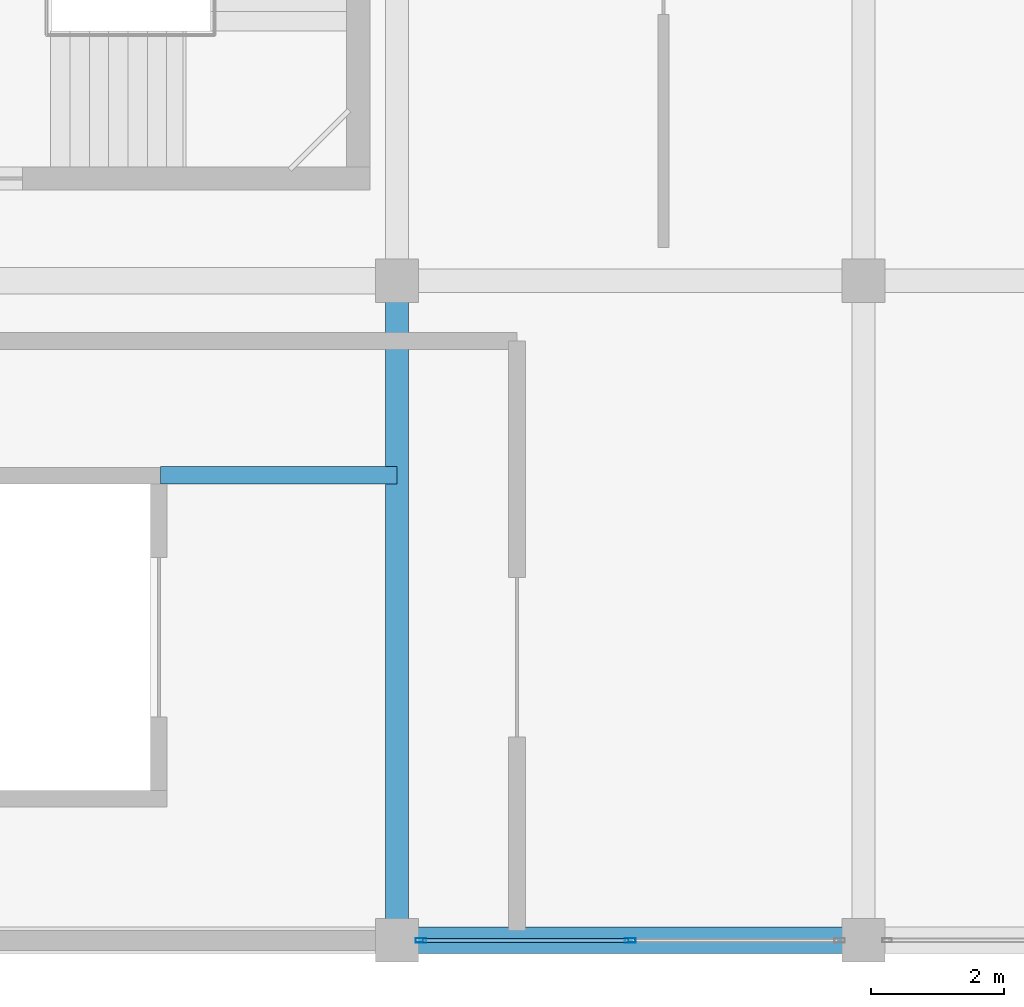
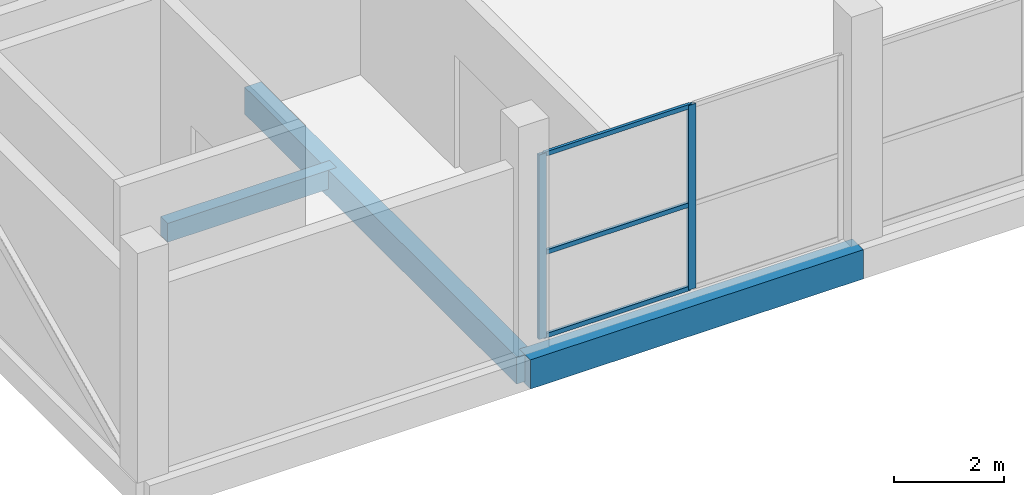
# One storey, part 2 of 58: 5 members, 3 beams, 1 element without a shape of its own.
"""IFC4 building model written with IfcOpenShell, lengths in metres."""

from ifc_helpers import new_model, si_unit, direction, frame, origin, origin_2d, place, context, subcontext, project, spatial, rectangle, hollow_rectangle, extrude, material, layer, layer_set, material_profile, profile_set, type_object, element, aggregate, save


model = new_model("IFC4")

# Units and contexts
model_context = context("Model", 3, precision=1e-05, world=origin(), true_north=direction((0.0, 1.0)))
body_context = subcontext(model_context, "Body", "Model", "MODEL_VIEW")
ifc_project = project(units=[si_unit("LENGTHUNIT", "METRE"), si_unit("AREAUNIT", "SQUARE_METRE"), si_unit("VOLUMEUNIT", "CUBIC_METRE"), si_unit("PLANEANGLEUNIT", "RADIAN"), si_unit("MASSUNIT", "GRAM", prefix="KILO")], contexts=[model_context])

# Site, building, storey
site_placement = place(None, origin())
site = spatial("IfcSite", under=ifc_project, at=site_placement, CompositionType="ELEMENT")
building_placement = place(site_placement, origin())
building = spatial("IfcBuilding", under=site, at=building_placement, Name="Sillaruma Civic Art Gallery", CompositionType="ELEMENT")
storey_placement = place(building_placement, frame((0.0, 0.0, 52.02001953125)))
storey = spatial("IfcBuildingStorey", under=building, at=storey_placement, Name="L10", CompositionType="ELEMENT", Elevation=52.02001953125)

# Beams
ifc_material_1 = material(Name="Concrete H35 (35 MPa)", Category="concrete")
ifc_material_profile_1 = material_profile(ifc_material_1, rectangle(XDim=0.35009765625, YDim=0.60009765625, at=origin_2d()), Name="RCB350x600")
ifc_profile_set_1 = profile_set([ifc_material_profile_1], Name="Concrete H35 (35 MPa)")
beam_type_1 = type_object("IfcBeamType", Name="BM-BEAM-RCB350x600", PredefinedType="BEAM", material=ifc_profile_set_1)
beam_1_placement = place(storey_placement, frame((70.0, 19.800048828125, -0.550048828125), z_axis=(0.0, 1.0, 0.0), x_axis=(-1.0, 0.0, 0.0)))
element("IfcBeam", 1, at=beam_1_placement, inside=storey, type_object=beam_type_1, Name="Beam BM-06 (L09:G:3-4)", PredefinedType="BEAM", context=body_context, shape_type="SweptSolid", body=[
    extrude(rectangle(XDim=0.35009765625, YDim=0.60009765625, at=origin_2d()), origin(), (0.0, 0.0, 1.0), 9.89990234375),
])
ifc_material_profile_2 = material_profile(ifc_material_1, rectangle(XDim=0.260009765625, YDim=0.419921875, at=origin_2d()), Name="RCB260x420")
ifc_profile_set_2 = profile_set([ifc_material_profile_2], Name="Concrete H35 (35 MPa)")
beam_type_2 = type_object("IfcBeamType", Name="BM-LINTEL-RCB260x420", PredefinedType="LINTEL", material=ifc_profile_set_2)
beam_2_placement = place(storey_placement, frame((66.449951171875, 26.780029296875, -0.4599609375), z_axis=(1.0, 0.0, 0.0), x_axis=(0.0, 1.0, 0.0)))
element("IfcBeam", 2, at=beam_2_placement, inside=storey, type_object=beam_type_2, Name="Core Portal Coupling Lintel BL-02 (L09:GL1)", PredefinedType="LINTEL", context=body_context, shape_type="SweptSolid", body=[
    extrude(rectangle(XDim=0.260009765625, YDim=0.419921875, at=origin_2d()), origin(), (0.0, 0.0, 1.0), 3.550048828125),
])
ifc_material_profile_3 = material_profile(ifc_material_1, rectangle(XDim=0.39990234375, YDim=0.64990234375, at=origin_2d()), Name="RCB400x650")
ifc_profile_set_3 = profile_set([ifc_material_profile_3], Name="Concrete H35 (35 MPa)")
beam_type_3 = type_object("IfcBeamType", Name="BM-SPANDREL-RCB400x650", PredefinedType="SPANDREL", material=ifc_profile_set_3)
beam_3_placement = place(storey_placement, frame((70.0, 19.800048828125, -0.574951171875), z_axis=(1.0, 0.0, 0.0), x_axis=(0.0, 1.0, 0.0)))
element("IfcBeam", 3, at=beam_3_placement, inside=storey, type_object=beam_type_3, Name="Beam BS-02 (L09:3:G-H)", PredefinedType="SPANDREL", context=body_context, shape_type="SweptSolid", body=[
    extrude(rectangle(XDim=0.39990234375, YDim=0.64990234375, at=origin_2d()), origin(), (0.0, 0.0, 1.0), 7.0),
])

# Curtain wall, members
ifc_material_2 = material(Name="Thermally Broken Extruded Aluminium 6063-T6", Category="aluminium")
ifc_layer = layer(ifc_material_2, 0.159912109375, Name="Thermally Broken Extruded Aluminium 6063-T6")
ifc_layer_set = layer_set([ifc_layer], Name="Thermally Broken Extruded Aluminium 6063-T6")
curtain_wall_type = type_object("IfcCurtainWallType", Name="CW-UNI-68", PredefinedType="NOTDEFINED", material=ifc_layer_set)
curtain_wall_placement = place(storey_placement, origin())
curtain_wall = element("IfcCurtainWall", 4, at=curtain_wall_placement, inside=storey, type_object=curtain_wall_type, Name="Unitised Curtain Wall CW-68 (CW-L10-WBS-2)", PredefinedType="NOTDEFINED")
ifc_material_profile_4 = material_profile(ifc_material_2, hollow_rectangle(XDim=0.06494140625, YDim=0.159912109375, WallThickness=0.00390625, at=origin_2d()), Name="CWM65x160")
ifc_profile_set_4 = profile_set([ifc_material_profile_4], Name="Thermally Broken Extruded Aluminium 6063-T6")
member_type_1 = type_object("IfcMemberType", Name="MEM-MUL-CWM65x160", PredefinedType="MULLION", material=ifc_profile_set_4)
member_1_placement = place(storey_placement, frame((70.357421875, 19.800048828125, 0.0), z_axis=(0.0, 0.0, 1.0), x_axis=(0.0, 1.0, 0.0)))
member_1 = element("IfcMember", 5, at=member_1_placement, type_object=member_type_1, Name="CW-68 mullion 1", PredefinedType="MULLION", context=body_context, shape_type="SweptSolid", body=[
    extrude(hollow_rectangle(XDim=0.06494140625, YDim=0.159912109375, WallThickness=0.00390625, at=origin_2d()), origin(), (0.0, 0.0, 1.0), 4.10009765625),
])
member_2_placement = place(storey_placement, frame((73.5, 19.800048828125, 0.0), z_axis=(0.0, 0.0, 1.0), x_axis=(0.0, 1.0, 0.0)))
member_2 = element("IfcMember", 6, at=member_2_placement, type_object=member_type_1, Name="CW-68 mullion 2", PredefinedType="MULLION", context=body_context, shape_type="SweptSolid", body=[
    extrude(hollow_rectangle(XDim=0.06494140625, YDim=0.159912109375, WallThickness=0.00390625, at=origin_2d()), origin(), (0.0, 0.0, 1.0), 4.10009765625),
])
ifc_material_profile_5 = material_profile(ifc_material_2, hollow_rectangle(XDim=0.06005859375, YDim=0.10009765625, WallThickness=0.003173828125, at=origin_2d()), Name="CWT60x100")
ifc_profile_set_5 = profile_set([ifc_material_profile_5], Name="Thermally Broken Extruded Aluminium 6063-T6")
member_type_2 = type_object("IfcMemberType", Name="MEM-TRN-CWT60x100", PredefinedType="USERDEFINED", material=ifc_profile_set_5)
member_3_placement = place(storey_placement, frame((70.389892578125, 19.800048828125, 0.030029296875), z_axis=(1.0, 0.0, 0.0), x_axis=(0.0, 1.0, 0.0)))
member_3 = element("IfcMember", 7, at=member_3_placement, type_object=member_type_2, Name="CW-68 transom 1.1", ObjectType="TRANSOM", PredefinedType="USERDEFINED", context=body_context, shape_type="SweptSolid", body=[
    extrude(hollow_rectangle(XDim=0.06005859375, YDim=0.10009765625, WallThickness=0.003173828125, at=origin_2d()), origin(), (0.0, 0.0, 1.0), 3.07763671875),
])
member_4_placement = place(storey_placement, frame((70.389892578125, 19.800048828125, 1.885986328125), z_axis=(1.0, 0.0, 0.0), x_axis=(0.0, 1.0, 0.0)))
member_4 = element("IfcMember", 8, at=member_4_placement, type_object=member_type_2, Name="CW-68 transom 1.2", ObjectType="TRANSOM", PredefinedType="USERDEFINED", context=body_context, shape_type="SweptSolid", body=[
    extrude(hollow_rectangle(XDim=0.06005859375, YDim=0.10009765625, WallThickness=0.003173828125, at=origin_2d()), origin(), (0.0, 0.0, 1.0), 3.07763671875),
])
member_5_placement = place(storey_placement, frame((70.389892578125, 19.800048828125, 4.070068359375), z_axis=(1.0, 0.0, 0.0), x_axis=(0.0, 1.0, 0.0)))
member_5 = element("IfcMember", 9, at=member_5_placement, type_object=member_type_2, Name="CW-68 transom 1.3", ObjectType="TRANSOM", PredefinedType="USERDEFINED", context=body_context, shape_type="SweptSolid", body=[
    extrude(hollow_rectangle(XDim=0.06005859375, YDim=0.10009765625, WallThickness=0.003173828125, at=origin_2d()), origin(), (0.0, 0.0, 1.0), 3.07763671875),
])
aggregate(curtain_wall, [member_1, member_2, member_3, member_4, member_5])

save(model, "model.ifc")
